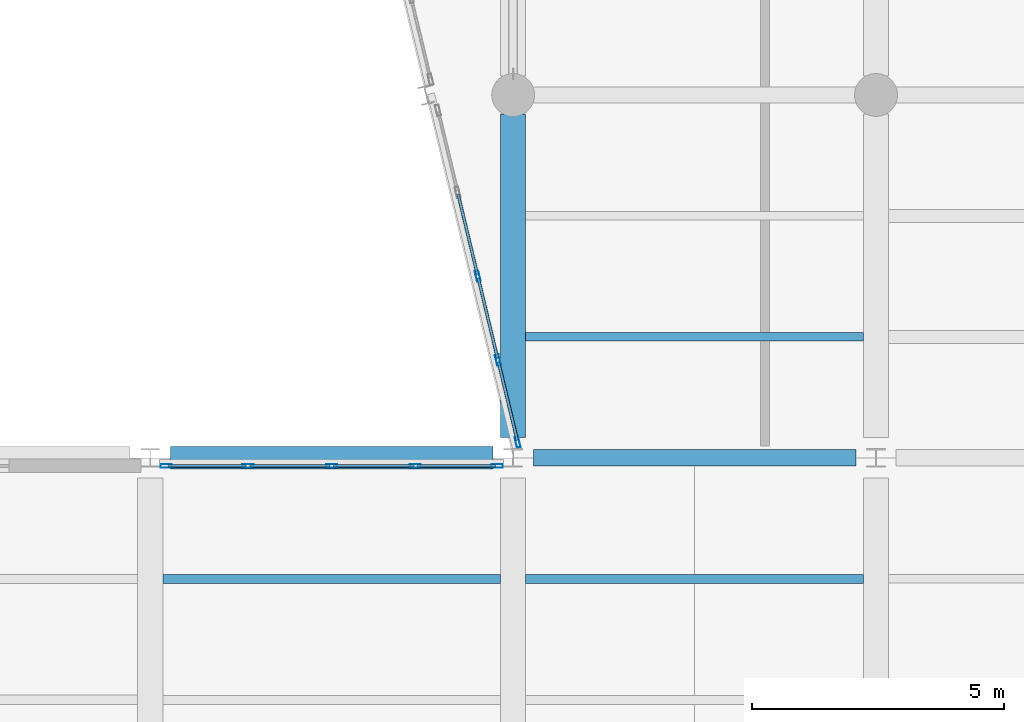
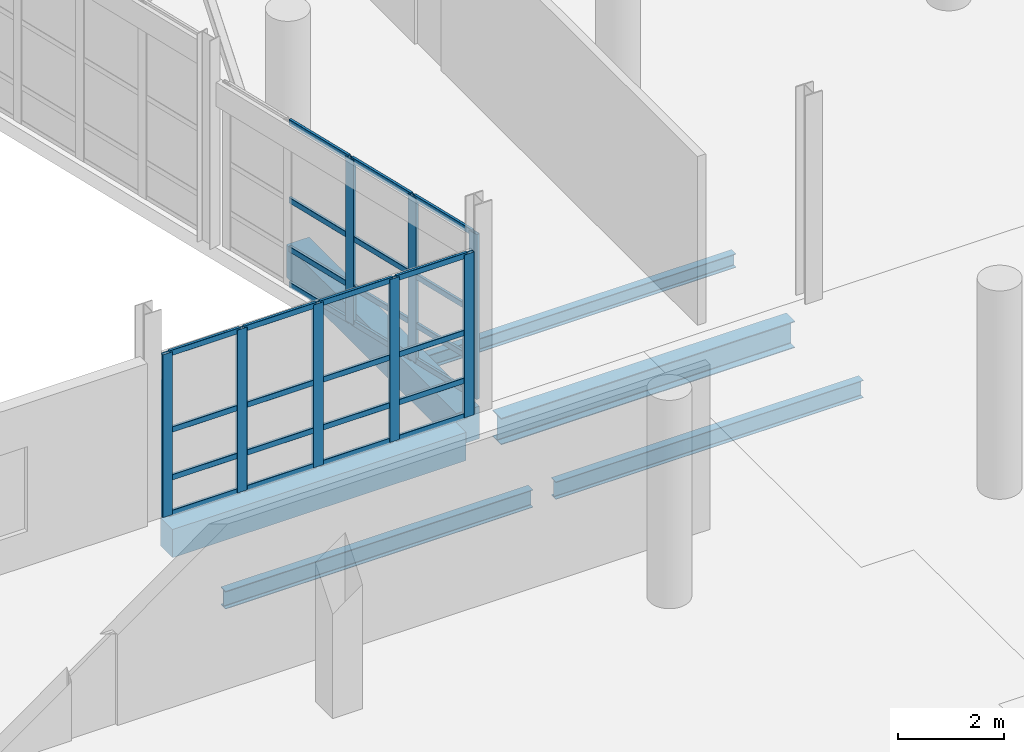
# One storey, part 62 of 127: 36 members, 6 beams, 2 elements without a shape of their own.
"""IFC4 building model written with IfcOpenShell, lengths in metres."""

from ifc_helpers import new_model, si_unit, direction, frame, origin, origin_2d, place, context, subcontext, project, spatial, rectangle, hollow_rectangle, i_section, extrude, material, material_profile, profile_set, type_object, element, aggregate, save


model = new_model("IFC4")

# Units and contexts
model_context = context("Model", 3, precision=1e-05, world=origin(), true_north=direction((0.0, 1.0)))
body_context = subcontext(model_context, "Body", "Model", "MODEL_VIEW")
ifc_project = project(units=[si_unit("LENGTHUNIT", "METRE"), si_unit("AREAUNIT", "SQUARE_METRE"), si_unit("VOLUMEUNIT", "CUBIC_METRE"), si_unit("PLANEANGLEUNIT", "RADIAN"), si_unit("MASSUNIT", "GRAM", prefix="KILO")], contexts=[model_context])

# Site, building, storey
site_placement = place(None, origin())
site = spatial("IfcSite", under=ifc_project, at=site_placement, CompositionType="ELEMENT")
building_placement = place(site_placement, origin())
building = spatial("IfcBuilding", under=site, at=building_placement, Name="Kalmorath City Hall", CompositionType="ELEMENT")
storey_placement = place(building_placement, frame((0.0, 0.0, 5.39990234375)))
storey = spatial("IfcBuildingStorey", under=building, at=storey_placement, Name="L01", CompositionType="ELEMENT", Elevation=5.39990234375)

# Beams
ifc_material_1 = material(Name="Concrete C40/50", Category="concrete")
ifc_material_profile_1 = material_profile(ifc_material_1, rectangle(XDim=0.5, YDim=0.75, at=origin_2d()), Name="RC-BM-500X750")
ifc_profile_set_1 = profile_set([ifc_material_profile_1], Name="Concrete C40/50")
beam_type_1 = type_object("IfcBeamType", Name="Concrete floor beam 500x750", PredefinedType="BEAM", material=ifc_profile_set_1)
beam_1_placement = place(storey_placement, frame((136.800048828125, 43.60009765625, -0.698974609375), z_axis=(0.0, 1.0, 0.0), x_axis=(-1.0, 0.0, 0.0)))
element("IfcBeam", 1, at=beam_1_placement, inside=storey, type_object=beam_type_1, Name="L01 girder CB3 Y20/7-8", PredefinedType="BEAM", context=body_context, shape_type="SweptSolid", body=[
    extrude(rectangle(XDim=0.5, YDim=0.75, at=origin_2d()), origin(), (0.0, 0.0, 1.0), 6.4248046875),
])
ifc_material_2 = material(Name="Concrete C40/50", Category="concrete")
ifc_material_profile_2 = material_profile(ifc_material_2, rectangle(XDim=0.449951171875, YDim=0.64990234375, at=origin_2d()), Name="RC-BM-450X650")
ifc_profile_set_2 = profile_set([ifc_material_profile_2], Name="Concrete C40/50")
beam_type_2 = type_object("IfcBeamType", Name="Concrete spandrel beam 450x650", PredefinedType="SPANDREL", material=ifc_profile_set_2)
beam_2_placement = place(storey_placement, frame((130.0, 43.199951171875, -0.64892578125), z_axis=(1.0, 0.0, 0.0), x_axis=(0.0, 1.0, 0.0)))
element("IfcBeam", 2, at=beam_2_placement, inside=storey, type_object=beam_type_2, Name="L01 girder CB5 X19-20/7", PredefinedType="SPANDREL", context=body_context, shape_type="SweptSolid", body=[
    extrude(rectangle(XDim=0.449951171875, YDim=0.64990234375, at=origin_2d()), origin(), (0.0, 0.0, 1.0), 6.39990234375),
])

# Curtain wall, members
ifc_material_3 = material(Name="Anodised aluminium and laminated glass", Category="aluminium")
curtain_wall_type_1 = type_object("IfcCurtainWallType", Name="Unitised hurricane curtain wall 6646x3751 M1650", PredefinedType="NOTDEFINED", material=ifc_material_3)
curtain_wall_1_placement = place(storey_placement, origin())
curtain_wall_1 = element("IfcCurtainWall", 3, at=curtain_wall_1_placement, inside=storey, type_object=curtain_wall_type_1, Name="L01 curtain wall CW-66X38M16 #93", PredefinedType="NOTDEFINED")
ifc_material_4 = material(Name="Anodised aluminium framing", Category="aluminium")
ifc_material_profile_3 = material_profile(ifc_material_4, hollow_rectangle(XDim=0.06005859375, YDim=0.1298828125, WallThickness=0.00341796875, InnerFilletRadius=0.00341796875, OuterFilletRadius=0.007080078125, at=origin_2d()), Name="ALU-TRN-130X60X3.5")
ifc_profile_set_3 = profile_set([ifc_material_profile_3], Name="Anodised aluminium framing")
member_type_1 = type_object("IfcMemberType", Name="Curtain-wall courtyard transom 130x60", PredefinedType="USERDEFINED", material=ifc_profile_set_3)
member_1_placement = place(storey_placement, frame((129.951904296875, 43.0400390625, 0.030029296875), z_axis=(1.0, 0.0, 0.0), x_axis=(0.0, 1.0, 0.0)))
member_1 = element("IfcMember", 4, at=member_1_placement, type_object=member_type_1, Name="CW-66X38M16 transom 1.1", ObjectType="TRANSOM", PredefinedType="USERDEFINED", context=body_context, shape_type="SweptSolid", body=[
    extrude(hollow_rectangle(XDim=0.06005859375, YDim=0.1298828125, WallThickness=0.00341796875, InnerFilletRadius=0.00341796875, OuterFilletRadius=0.007080078125, at=origin_2d()), origin(), (0.0, 0.0, 1.0), 1.549072265625),
])
member_2_placement = place(storey_placement, frame((129.951904296875, 43.0400390625, 0.85009765625), z_axis=(1.0, 0.0, 0.0), x_axis=(0.0, 1.0, 0.0)))
member_2 = element("IfcMember", 5, at=member_2_placement, type_object=member_type_1, Name="CW-66X38M16 transom 1.2", ObjectType="TRANSOM", PredefinedType="USERDEFINED", context=body_context, shape_type="SweptSolid", body=[
    extrude(hollow_rectangle(XDim=0.06005859375, YDim=0.1298828125, WallThickness=0.00341796875, InnerFilletRadius=0.00341796875, OuterFilletRadius=0.007080078125, at=origin_2d()), origin(), (0.0, 0.0, 1.0), 1.549072265625),
])
member_3_placement = place(storey_placement, frame((129.951904296875, 43.0400390625, 1.951171875), z_axis=(1.0, 0.0, 0.0), x_axis=(0.0, 1.0, 0.0)))
member_3 = element("IfcMember", 6, at=member_3_placement, type_object=member_type_1, Name="CW-66X38M16 transom 1.3", ObjectType="TRANSOM", PredefinedType="USERDEFINED", context=body_context, shape_type="SweptSolid", body=[
    extrude(hollow_rectangle(XDim=0.06005859375, YDim=0.1298828125, WallThickness=0.00341796875, InnerFilletRadius=0.00341796875, OuterFilletRadius=0.007080078125, at=origin_2d()), origin(), (0.0, 0.0, 1.0), 1.549072265625),
])
member_4_placement = place(storey_placement, frame((129.951904296875, 43.0400390625, 3.72119140625), z_axis=(1.0, 0.0, 0.0), x_axis=(0.0, 1.0, 0.0)))
member_4 = element("IfcMember", 7, at=member_4_placement, type_object=member_type_1, Name="CW-66X38M16 transom 1.4", ObjectType="TRANSOM", PredefinedType="USERDEFINED", context=body_context, shape_type="SweptSolid", body=[
    extrude(hollow_rectangle(XDim=0.06005859375, YDim=0.1298828125, WallThickness=0.00341796875, InnerFilletRadius=0.00341796875, OuterFilletRadius=0.007080078125, at=origin_2d()), origin(), (0.0, 0.0, 1.0), 1.549072265625),
])
member_5_placement = place(storey_placement, frame((131.575927734375, 43.0400390625, 0.030029296875), z_axis=(1.0, 0.0, 0.0), x_axis=(0.0, 1.0, 0.0)))
member_5 = element("IfcMember", 8, at=member_5_placement, type_object=member_type_1, Name="CW-66X38M16 transom 2.1", ObjectType="TRANSOM", PredefinedType="USERDEFINED", context=body_context, shape_type="SweptSolid", body=[
    extrude(hollow_rectangle(XDim=0.06005859375, YDim=0.1298828125, WallThickness=0.00341796875, InnerFilletRadius=0.00341796875, OuterFilletRadius=0.007080078125, at=origin_2d()), origin(), (0.0, 0.0, 1.0), 1.586669921875),
])
member_6_placement = place(storey_placement, frame((131.575927734375, 43.0400390625, 0.85009765625), z_axis=(1.0, 0.0, 0.0), x_axis=(0.0, 1.0, 0.0)))
member_6 = element("IfcMember", 9, at=member_6_placement, type_object=member_type_1, Name="CW-66X38M16 transom 2.2", ObjectType="TRANSOM", PredefinedType="USERDEFINED", context=body_context, shape_type="SweptSolid", body=[
    extrude(hollow_rectangle(XDim=0.06005859375, YDim=0.1298828125, WallThickness=0.00341796875, InnerFilletRadius=0.00341796875, OuterFilletRadius=0.007080078125, at=origin_2d()), origin(), (0.0, 0.0, 1.0), 1.586669921875),
])
member_7_placement = place(storey_placement, frame((131.575927734375, 43.0400390625, 1.951171875), z_axis=(1.0, 0.0, 0.0), x_axis=(0.0, 1.0, 0.0)))
member_7 = element("IfcMember", 10, at=member_7_placement, type_object=member_type_1, Name="CW-66X38M16 transom 2.3", ObjectType="TRANSOM", PredefinedType="USERDEFINED", context=body_context, shape_type="SweptSolid", body=[
    extrude(hollow_rectangle(XDim=0.06005859375, YDim=0.1298828125, WallThickness=0.00341796875, InnerFilletRadius=0.00341796875, OuterFilletRadius=0.007080078125, at=origin_2d()), origin(), (0.0, 0.0, 1.0), 1.586669921875),
])
member_8_placement = place(storey_placement, frame((131.575927734375, 43.0400390625, 3.72119140625), z_axis=(1.0, 0.0, 0.0), x_axis=(0.0, 1.0, 0.0)))
member_8 = element("IfcMember", 11, at=member_8_placement, type_object=member_type_1, Name="CW-66X38M16 transom 2.4", ObjectType="TRANSOM", PredefinedType="USERDEFINED", context=body_context, shape_type="SweptSolid", body=[
    extrude(hollow_rectangle(XDim=0.06005859375, YDim=0.1298828125, WallThickness=0.00341796875, InnerFilletRadius=0.00341796875, OuterFilletRadius=0.007080078125, at=origin_2d()), origin(), (0.0, 0.0, 1.0), 1.586669921875),
])
member_9_placement = place(storey_placement, frame((133.237548828125, 43.0400390625, 0.030029296875), z_axis=(1.0, 0.0, 0.0), x_axis=(0.0, 1.0, 0.0)))
member_9 = element("IfcMember", 12, at=member_9_placement, type_object=member_type_1, Name="CW-66X38M16 transom 3.1", ObjectType="TRANSOM", PredefinedType="USERDEFINED", context=body_context, shape_type="SweptSolid", body=[
    extrude(hollow_rectangle(XDim=0.06005859375, YDim=0.1298828125, WallThickness=0.00341796875, InnerFilletRadius=0.00341796875, OuterFilletRadius=0.007080078125, at=origin_2d()), origin(), (0.0, 0.0, 1.0), 1.58642578125),
])
member_10_placement = place(storey_placement, frame((133.237548828125, 43.0400390625, 0.85009765625), z_axis=(1.0, 0.0, 0.0), x_axis=(0.0, 1.0, 0.0)))
member_10 = element("IfcMember", 13, at=member_10_placement, type_object=member_type_1, Name="CW-66X38M16 transom 3.2", ObjectType="TRANSOM", PredefinedType="USERDEFINED", context=body_context, shape_type="SweptSolid", body=[
    extrude(hollow_rectangle(XDim=0.06005859375, YDim=0.1298828125, WallThickness=0.00341796875, InnerFilletRadius=0.00341796875, OuterFilletRadius=0.007080078125, at=origin_2d()), origin(), (0.0, 0.0, 1.0), 1.58642578125),
])
member_11_placement = place(storey_placement, frame((133.237548828125, 43.0400390625, 1.951171875), z_axis=(1.0, 0.0, 0.0), x_axis=(0.0, 1.0, 0.0)))
member_11 = element("IfcMember", 14, at=member_11_placement, type_object=member_type_1, Name="CW-66X38M16 transom 3.3", ObjectType="TRANSOM", PredefinedType="USERDEFINED", context=body_context, shape_type="SweptSolid", body=[
    extrude(hollow_rectangle(XDim=0.06005859375, YDim=0.1298828125, WallThickness=0.00341796875, InnerFilletRadius=0.00341796875, OuterFilletRadius=0.007080078125, at=origin_2d()), origin(), (0.0, 0.0, 1.0), 1.58642578125),
])
member_12_placement = place(storey_placement, frame((133.237548828125, 43.0400390625, 3.72119140625), z_axis=(1.0, 0.0, 0.0), x_axis=(0.0, 1.0, 0.0)))
member_12 = element("IfcMember", 15, at=member_12_placement, type_object=member_type_1, Name="CW-66X38M16 transom 3.4", ObjectType="TRANSOM", PredefinedType="USERDEFINED", context=body_context, shape_type="SweptSolid", body=[
    extrude(hollow_rectangle(XDim=0.06005859375, YDim=0.1298828125, WallThickness=0.00341796875, InnerFilletRadius=0.00341796875, OuterFilletRadius=0.007080078125, at=origin_2d()), origin(), (0.0, 0.0, 1.0), 1.58642578125),
])
member_13_placement = place(storey_placement, frame((134.89892578125, 43.0400390625, 0.030029296875), z_axis=(1.0, 0.0, 0.0), x_axis=(0.0, 1.0, 0.0)))
member_13 = element("IfcMember", 16, at=member_13_placement, type_object=member_type_1, Name="CW-66X38M16 transom 4.1", ObjectType="TRANSOM", PredefinedType="USERDEFINED", context=body_context, shape_type="SweptSolid", body=[
    extrude(hollow_rectangle(XDim=0.06005859375, YDim=0.1298828125, WallThickness=0.00341796875, InnerFilletRadius=0.00341796875, OuterFilletRadius=0.007080078125, at=origin_2d()), origin(), (0.0, 0.0, 1.0), 1.549072265625),
])
member_14_placement = place(storey_placement, frame((134.89892578125, 43.0400390625, 0.85009765625), z_axis=(1.0, 0.0, 0.0), x_axis=(0.0, 1.0, 0.0)))
member_14 = element("IfcMember", 17, at=member_14_placement, type_object=member_type_1, Name="CW-66X38M16 transom 4.2", ObjectType="TRANSOM", PredefinedType="USERDEFINED", context=body_context, shape_type="SweptSolid", body=[
    extrude(hollow_rectangle(XDim=0.06005859375, YDim=0.1298828125, WallThickness=0.00341796875, InnerFilletRadius=0.00341796875, OuterFilletRadius=0.007080078125, at=origin_2d()), origin(), (0.0, 0.0, 1.0), 1.549072265625),
])
member_15_placement = place(storey_placement, frame((134.89892578125, 43.0400390625, 1.951171875), z_axis=(1.0, 0.0, 0.0), x_axis=(0.0, 1.0, 0.0)))
member_15 = element("IfcMember", 18, at=member_15_placement, type_object=member_type_1, Name="CW-66X38M16 transom 4.3", ObjectType="TRANSOM", PredefinedType="USERDEFINED", context=body_context, shape_type="SweptSolid", body=[
    extrude(hollow_rectangle(XDim=0.06005859375, YDim=0.1298828125, WallThickness=0.00341796875, InnerFilletRadius=0.00341796875, OuterFilletRadius=0.007080078125, at=origin_2d()), origin(), (0.0, 0.0, 1.0), 1.549072265625),
])
member_16_placement = place(storey_placement, frame((134.89892578125, 43.0400390625, 3.72119140625), z_axis=(1.0, 0.0, 0.0), x_axis=(0.0, 1.0, 0.0)))
member_16 = element("IfcMember", 19, at=member_16_placement, type_object=member_type_1, Name="CW-66X38M16 transom 4.4", ObjectType="TRANSOM", PredefinedType="USERDEFINED", context=body_context, shape_type="SweptSolid", body=[
    extrude(hollow_rectangle(XDim=0.06005859375, YDim=0.1298828125, WallThickness=0.00341796875, InnerFilletRadius=0.00341796875, OuterFilletRadius=0.007080078125, at=origin_2d()), origin(), (0.0, 0.0, 1.0), 1.549072265625),
])

ifc_material_5 = material(Name="Anodised aluminium and laminated glass", Category="aluminium")
curtain_wall_type_2 = type_object("IfcCurtainWallType", Name="Unitised hurricane curtain wall 6842x3801 M1650", PredefinedType="NOTDEFINED", material=ifc_material_5)
curtain_wall_2_placement = place(storey_placement, origin())
curtain_wall_2 = element("IfcCurtainWall", 20, at=curtain_wall_2_placement, inside=storey, type_object=curtain_wall_type_2, Name="L01 curtain wall CW-68X38M16 #94", PredefinedType="NOTDEFINED")
member_17_placement = place(storey_placement, frame((136.88037109375, 43.550048828125, 0.030029296875), z_axis=(-0.233465412237, 0.972365106989, 0.0), x_axis=(-0.972365106989, -0.233465412237, 0.0)))
member_17 = element("IfcMember", 21, at=member_17_placement, type_object=member_type_1, Name="CW-68X38M16 transom 1.1", ObjectType="TRANSOM", PredefinedType="USERDEFINED", context=body_context, shape_type="SweptSolid", body=[
    extrude(hollow_rectangle(XDim=0.06005859375, YDim=0.1298828125, WallThickness=0.00341796875, InnerFilletRadius=0.00341796875, OuterFilletRadius=0.007080078125, at=origin_2d()), origin(), (0.0, 0.0, 1.0), 1.597900390625),
])
member_18_placement = place(storey_placement, frame((136.88037109375, 43.550048828125, 0.85009765625), z_axis=(-0.233465412237, 0.972365106989, 0.0), x_axis=(-0.972365106989, -0.233465412237, 0.0)))
member_18 = element("IfcMember", 22, at=member_18_placement, type_object=member_type_1, Name="CW-68X38M16 transom 1.2", ObjectType="TRANSOM", PredefinedType="USERDEFINED", context=body_context, shape_type="SweptSolid", body=[
    extrude(hollow_rectangle(XDim=0.06005859375, YDim=0.1298828125, WallThickness=0.00341796875, InnerFilletRadius=0.00341796875, OuterFilletRadius=0.007080078125, at=origin_2d()), origin(), (0.0, 0.0, 1.0), 1.597900390625),
])
member_19_placement = place(storey_placement, frame((136.88037109375, 43.550048828125, 1.97705078125), z_axis=(-0.233465412237, 0.972365106989, 0.0), x_axis=(-0.972365106989, -0.233465412237, 0.0)))
member_19 = element("IfcMember", 23, at=member_19_placement, type_object=member_type_1, Name="CW-68X38M16 transom 1.3", ObjectType="TRANSOM", PredefinedType="USERDEFINED", context=body_context, shape_type="SweptSolid", body=[
    extrude(hollow_rectangle(XDim=0.06005859375, YDim=0.1298828125, WallThickness=0.00341796875, InnerFilletRadius=0.00341796875, OuterFilletRadius=0.007080078125, at=origin_2d()), origin(), (0.0, 0.0, 1.0), 1.597900390625),
])
member_20_placement = place(storey_placement, frame((136.88037109375, 43.550048828125, 3.77099609375), z_axis=(-0.233465412237, 0.972365106989, 0.0), x_axis=(-0.972365106989, -0.233465412237, 0.0)))
member_20 = element("IfcMember", 24, at=member_20_placement, type_object=member_type_1, Name="CW-68X38M16 transom 1.4", ObjectType="TRANSOM", PredefinedType="USERDEFINED", context=body_context, shape_type="SweptSolid", body=[
    extrude(hollow_rectangle(XDim=0.06005859375, YDim=0.1298828125, WallThickness=0.00341796875, InnerFilletRadius=0.00341796875, OuterFilletRadius=0.007080078125, at=origin_2d()), origin(), (0.0, 0.0, 1.0), 1.597900390625),
])
member_21_placement = place(storey_placement, frame((136.489990234375, 45.1767578125, 0.030029296875), z_axis=(-0.233463283208, 0.972365618167, 0.0), x_axis=(-0.972365618167, -0.233463283208, 0.0)))
member_21 = element("IfcMember", 25, at=member_21_placement, type_object=member_type_1, Name="CW-68X38M16 transom 2.1", ObjectType="TRANSOM", PredefinedType="USERDEFINED", context=body_context, shape_type="SweptSolid", body=[
    extrude(hollow_rectangle(XDim=0.06005859375, YDim=0.1298828125, WallThickness=0.00341796875, InnerFilletRadius=0.00341796875, OuterFilletRadius=0.007080078125, at=origin_2d()), origin(), (0.0, 0.0, 1.0), 1.635498046875),
])
member_22_placement = place(storey_placement, frame((136.489990234375, 45.1767578125, 0.85009765625), z_axis=(-0.233463283208, 0.972365618167, 0.0), x_axis=(-0.972365618167, -0.233463283208, 0.0)))
member_22 = element("IfcMember", 26, at=member_22_placement, type_object=member_type_1, Name="CW-68X38M16 transom 2.2", ObjectType="TRANSOM", PredefinedType="USERDEFINED", context=body_context, shape_type="SweptSolid", body=[
    extrude(hollow_rectangle(XDim=0.06005859375, YDim=0.1298828125, WallThickness=0.00341796875, InnerFilletRadius=0.00341796875, OuterFilletRadius=0.007080078125, at=origin_2d()), origin(), (0.0, 0.0, 1.0), 1.635498046875),
])
member_23_placement = place(storey_placement, frame((136.489990234375, 45.1767578125, 1.97705078125), z_axis=(-0.233463283208, 0.972365618167, 0.0), x_axis=(-0.972365618167, -0.233463283208, 0.0)))
member_23 = element("IfcMember", 27, at=member_23_placement, type_object=member_type_1, Name="CW-68X38M16 transom 2.3", ObjectType="TRANSOM", PredefinedType="USERDEFINED", context=body_context, shape_type="SweptSolid", body=[
    extrude(hollow_rectangle(XDim=0.06005859375, YDim=0.1298828125, WallThickness=0.00341796875, InnerFilletRadius=0.00341796875, OuterFilletRadius=0.007080078125, at=origin_2d()), origin(), (0.0, 0.0, 1.0), 1.635498046875),
])
member_24_placement = place(storey_placement, frame((136.489990234375, 45.1767578125, 3.77099609375), z_axis=(-0.233463283208, 0.972365618167, 0.0), x_axis=(-0.972365618167, -0.233463283208, 0.0)))
member_24 = element("IfcMember", 28, at=member_24_placement, type_object=member_type_1, Name="CW-68X38M16 transom 2.4", ObjectType="TRANSOM", PredefinedType="USERDEFINED", context=body_context, shape_type="SweptSolid", body=[
    extrude(hollow_rectangle(XDim=0.06005859375, YDim=0.1298828125, WallThickness=0.00341796875, InnerFilletRadius=0.00341796875, OuterFilletRadius=0.007080078125, at=origin_2d()), origin(), (0.0, 0.0, 1.0), 1.635498046875),
])
member_25_placement = place(storey_placement, frame((136.090576171875, 46.83984375, 0.030029296875), z_axis=(-0.233463283208, 0.972365618167, 0.0), x_axis=(-0.972365618167, -0.233463283208, 0.0)))
member_25 = element("IfcMember", 29, at=member_25_placement, type_object=member_type_1, Name="CW-68X38M16 transom 3.1", ObjectType="TRANSOM", PredefinedType="USERDEFINED", context=body_context, shape_type="SweptSolid", body=[
    extrude(hollow_rectangle(XDim=0.06005859375, YDim=0.1298828125, WallThickness=0.00341796875, InnerFilletRadius=0.00341796875, OuterFilletRadius=0.007080078125, at=origin_2d()), origin(), (0.0, 0.0, 1.0), 1.635498046875),
])
member_26_placement = place(storey_placement, frame((136.090576171875, 46.83984375, 0.85009765625), z_axis=(-0.233463283208, 0.972365618167, 0.0), x_axis=(-0.972365618167, -0.233463283208, 0.0)))
member_26 = element("IfcMember", 30, at=member_26_placement, type_object=member_type_1, Name="CW-68X38M16 transom 3.2", ObjectType="TRANSOM", PredefinedType="USERDEFINED", context=body_context, shape_type="SweptSolid", body=[
    extrude(hollow_rectangle(XDim=0.06005859375, YDim=0.1298828125, WallThickness=0.00341796875, InnerFilletRadius=0.00341796875, OuterFilletRadius=0.007080078125, at=origin_2d()), origin(), (0.0, 0.0, 1.0), 1.635498046875),
])
member_27_placement = place(storey_placement, frame((136.090576171875, 46.83984375, 1.97705078125), z_axis=(-0.233463283208, 0.972365618167, 0.0), x_axis=(-0.972365618167, -0.233463283208, 0.0)))
member_27 = element("IfcMember", 31, at=member_27_placement, type_object=member_type_1, Name="CW-68X38M16 transom 3.3", ObjectType="TRANSOM", PredefinedType="USERDEFINED", context=body_context, shape_type="SweptSolid", body=[
    extrude(hollow_rectangle(XDim=0.06005859375, YDim=0.1298828125, WallThickness=0.00341796875, InnerFilletRadius=0.00341796875, OuterFilletRadius=0.007080078125, at=origin_2d()), origin(), (0.0, 0.0, 1.0), 1.635498046875),
])
member_28_placement = place(storey_placement, frame((136.090576171875, 46.83984375, 3.77099609375), z_axis=(-0.233463283208, 0.972365618167, 0.0), x_axis=(-0.972365618167, -0.233463283208, 0.0)))
member_28 = element("IfcMember", 32, at=member_28_placement, type_object=member_type_1, Name="CW-68X38M16 transom 3.4", ObjectType="TRANSOM", PredefinedType="USERDEFINED", context=body_context, shape_type="SweptSolid", body=[
    extrude(hollow_rectangle(XDim=0.06005859375, YDim=0.1298828125, WallThickness=0.00341796875, InnerFilletRadius=0.00341796875, OuterFilletRadius=0.007080078125, at=origin_2d()), origin(), (0.0, 0.0, 1.0), 1.635498046875),
])

# Member
ifc_material_6 = material(Name="Anodised aluminium framing", Category="aluminium")
ifc_material_profile_4 = material_profile(ifc_material_6, hollow_rectangle(XDim=0.074951171875, YDim=0.219970703125, WallThickness=0.00390625, InnerFilletRadius=0.00390625, OuterFilletRadius=0.008056640625, at=origin_2d()), Name="ALU-MUL-220X75X4")
ifc_profile_set_4 = profile_set([ifc_material_profile_4], Name="Anodised aluminium framing")
member_type_2 = type_object("IfcMemberType", Name="Curtain-wall primary mullion 220x75", PredefinedType="MULLION", material=ifc_profile_set_4)
member_29_placement = place(storey_placement, frame((129.91455078125, 43.0400390625, 0.0), z_axis=(0.0, 0.0, 1.0), x_axis=(0.0, 1.0, 0.0)))
member_29 = element("IfcMember", 33, at=member_29_placement, type_object=member_type_2, Name="CW-66X38M16 mullion 1", PredefinedType="MULLION", context=body_context, shape_type="SweptSolid", body=[
    extrude(hollow_rectangle(XDim=0.074951171875, YDim=0.219970703125, WallThickness=0.00390625, InnerFilletRadius=0.00390625, OuterFilletRadius=0.008056640625, at=origin_2d()), origin(), (0.0, 0.0, 1.0), 3.7509765625),
])

member_30_placement = place(storey_placement, frame((131.53857421875, 43.0400390625, 0.0), z_axis=(0.0, 0.0, 1.0), x_axis=(0.0, 1.0, 0.0)))
member_30 = element("IfcMember", 34, at=member_30_placement, type_object=member_type_2, Name="CW-66X38M16 mullion 2", PredefinedType="MULLION", context=body_context, shape_type="SweptSolid", body=[
    extrude(hollow_rectangle(XDim=0.074951171875, YDim=0.219970703125, WallThickness=0.00390625, InnerFilletRadius=0.00390625, OuterFilletRadius=0.008056640625, at=origin_2d()), origin(), (0.0, 0.0, 1.0), 3.7509765625),
])

member_31_placement = place(storey_placement, frame((133.199951171875, 43.0400390625, 0.0), z_axis=(0.0, 0.0, 1.0), x_axis=(0.0, 1.0, 0.0)))
member_31 = element("IfcMember", 35, at=member_31_placement, type_object=member_type_2, Name="CW-66X38M16 mullion 3", PredefinedType="MULLION", context=body_context, shape_type="SweptSolid", body=[
    extrude(hollow_rectangle(XDim=0.074951171875, YDim=0.219970703125, WallThickness=0.00390625, InnerFilletRadius=0.00390625, OuterFilletRadius=0.008056640625, at=origin_2d()), origin(), (0.0, 0.0, 1.0), 3.7509765625),
])

member_32_placement = place(storey_placement, frame((134.861572265625, 43.0400390625, 0.0), z_axis=(0.0, 0.0, 1.0), x_axis=(0.0, 1.0, 0.0)))
member_32 = element("IfcMember", 36, at=member_32_placement, type_object=member_type_2, Name="CW-66X38M16 mullion 4", PredefinedType="MULLION", context=body_context, shape_type="SweptSolid", body=[
    extrude(hollow_rectangle(XDim=0.074951171875, YDim=0.219970703125, WallThickness=0.00390625, InnerFilletRadius=0.00390625, OuterFilletRadius=0.008056640625, at=origin_2d()), origin(), (0.0, 0.0, 1.0), 3.7509765625),
])

member_33_placement = place(storey_placement, frame((136.485595703125, 43.0400390625, 0.0), z_axis=(0.0, 0.0, 1.0), x_axis=(0.0, 1.0, 0.0)))
member_33 = element("IfcMember", 37, at=member_33_placement, type_object=member_type_2, Name="CW-66X38M16 mullion 5", PredefinedType="MULLION", context=body_context, shape_type="SweptSolid", body=[
    extrude(hollow_rectangle(XDim=0.074951171875, YDim=0.219970703125, WallThickness=0.00390625, InnerFilletRadius=0.00390625, OuterFilletRadius=0.008056640625, at=origin_2d()), origin(), (0.0, 0.0, 1.0), 3.7509765625),
])

aggregate(curtain_wall_1, [member_29, member_30, member_31, member_32, member_33, member_1, member_2, member_3, member_4, member_5, member_6, member_7, member_8, member_9, member_10, member_11, member_12, member_13, member_14, member_15, member_16])

member_34_placement = place(storey_placement, frame((136.88916015625, 43.513427734375, 0.0), z_axis=(0.0, 0.0, 1.0), x_axis=(-0.97236806196, -0.23345310467, 0.0)))
member_34 = element("IfcMember", 38, at=member_34_placement, type_object=member_type_2, Name="CW-68X38M16 mullion 1", PredefinedType="MULLION", context=body_context, shape_type="SweptSolid", body=[
    extrude(hollow_rectangle(XDim=0.074951171875, YDim=0.219970703125, WallThickness=0.00390625, InnerFilletRadius=0.00390625, OuterFilletRadius=0.008056640625, at=origin_2d()), origin(), (0.0, 0.0, 1.0), 3.801025390625),
])

member_35_placement = place(storey_placement, frame((136.498779296875, 45.14013671875, 0.0), z_axis=(0.0, 0.0, 1.0), x_axis=(-0.97236806196, -0.23345310467, 0.0)))
member_35 = element("IfcMember", 39, at=member_35_placement, type_object=member_type_2, Name="CW-68X38M16 mullion 2", PredefinedType="MULLION", context=body_context, shape_type="SweptSolid", body=[
    extrude(hollow_rectangle(XDim=0.074951171875, YDim=0.219970703125, WallThickness=0.00390625, InnerFilletRadius=0.00390625, OuterFilletRadius=0.008056640625, at=origin_2d()), origin(), (0.0, 0.0, 1.0), 3.801025390625),
])

member_36_placement = place(storey_placement, frame((136.099365234375, 46.803466796875, 0.0), z_axis=(0.0, 0.0, 1.0), x_axis=(-0.97236806196, -0.23345310467, 0.0)))
member_36 = element("IfcMember", 40, at=member_36_placement, type_object=member_type_2, Name="CW-68X38M16 mullion 3", PredefinedType="MULLION", context=body_context, shape_type="SweptSolid", body=[
    extrude(hollow_rectangle(XDim=0.074951171875, YDim=0.219970703125, WallThickness=0.00390625, InnerFilletRadius=0.00390625, OuterFilletRadius=0.008056640625, at=origin_2d()), origin(), (0.0, 0.0, 1.0), 3.801025390625),
])

aggregate(curtain_wall_2, [member_34, member_35, member_36, member_17, member_18, member_19, member_20, member_21, member_22, member_23, member_24, member_25, member_26, member_27, member_28])

# Beams
ifc_material_7 = material(Name="Steel ASTM A992 Grade 50", Category="steel")
ifc_material_profile_5 = material_profile(ifc_material_7, i_section(OverallWidth=0.177001953125, OverallDepth=0.403076171875, WebThickness=0.007568359375, FlangeThickness=0.010986328125, FilletRadius=0.012939453125, at=origin_2d()), Name="W16X36")
ifc_profile_set_5 = profile_set([ifc_material_profile_5], Name="Steel ASTM A992 Grade 50")
beam_type_3 = type_object("IfcBeamType", Name="Steel composite joist W16X36", PredefinedType="JOIST", material=ifc_profile_set_5)
beam_3_placement = place(storey_placement, frame((137.050048828125, 40.800048828125, -0.525390625), z_axis=(1.0, 0.0, 0.0), x_axis=(0.0, 1.0, 0.0)))
element("IfcBeam", 41, at=beam_3_placement, inside=storey, type_object=beam_type_3, Name="L01 joist SJ7 20.6.2", PredefinedType="JOIST", context=body_context, shape_type="SweptSolid", body=[
    extrude(i_section(OverallWidth=0.177001953125, OverallDepth=0.403076171875, WebThickness=0.007568359375, FlangeThickness=0.010986328125, FilletRadius=0.012939453125, at=origin_2d()), origin(), (0.0, 0.0, 1.0), 6.699951171875),
])
ifc_material_8 = material(Name="Steel ASTM A992 Grade 50", Category="steel")
ifc_material_profile_6 = material_profile(ifc_material_8, i_section(OverallWidth=0.178955078125, OverallDepth=0.409912109375, WebThickness=0.0087890625, FlangeThickness=0.014404296875, FilletRadius=0.012939453125, at=origin_2d()), Name="W16X45")
ifc_profile_set_6 = profile_set([ifc_material_profile_6], Name="Steel ASTM A992 Grade 50")
beam_type_4 = type_object("IfcBeamType", Name="Steel composite joist W16X45", PredefinedType="JOIST", material=ifc_profile_set_6)
beam_4_placement = place(storey_placement, frame((129.85009765625, 40.800048828125, -0.52880859375), z_axis=(1.0, 0.0, 0.0), x_axis=(0.0, 1.0, 0.0)))
element("IfcBeam", 42, at=beam_4_placement, inside=storey, type_object=beam_type_4, Name="L01 joist SJ6 19.6.2", PredefinedType="JOIST", context=body_context, shape_type="SweptSolid", body=[
    extrude(i_section(OverallWidth=0.178955078125, OverallDepth=0.409912109375, WebThickness=0.0087890625, FlangeThickness=0.014404296875, FilletRadius=0.012939453125, at=origin_2d()), origin(), (0.0, 0.0, 1.0), 6.699951171875),
])
ifc_material_9 = material(Name="Steel ASTM A992 Grade 50", Category="steel")
ifc_material_profile_7 = material_profile(ifc_material_9, i_section(OverallWidth=0.323974609375, OverallDepth=0.611083984375, WebThickness=0.0126953125, FlangeThickness=0.01904296875, FilletRadius=0.01611328125, at=origin_2d()), Name="W24X104")
ifc_profile_set_7 = profile_set([ifc_material_profile_7], Name="Steel ASTM A992 Grade 50")
beam_type_5 = type_object("IfcBeamType", Name="Steel floor girder W24X104", PredefinedType="BEAM", material=ifc_profile_set_7)
beam_5_placement = place(storey_placement, frame((137.199951171875, 43.199951171875, -0.62939453125), z_axis=(1.0, 0.0, 0.0), x_axis=(0.0, 1.0, 0.0)))
element("IfcBeam", 43, at=beam_5_placement, inside=storey, type_object=beam_type_5, Name="L01 girder SG7 X20-21/7", PredefinedType="BEAM", context=body_context, shape_type="SweptSolid", body=[
    extrude(i_section(OverallWidth=0.323974609375, OverallDepth=0.611083984375, WebThickness=0.0126953125, FlangeThickness=0.01904296875, FilletRadius=0.01611328125, at=origin_2d()), origin(), (0.0, 0.0, 1.0), 6.400146484375),
])
ifc_material_10 = material(Name="Steel ASTM A992 Grade 50", Category="steel")
ifc_material_profile_8 = material_profile(ifc_material_10, i_section(OverallWidth=0.1669921875, OverallDepth=0.318115234375, WebThickness=0.007568359375, FlangeThickness=0.01318359375, FilletRadius=0.012939453125, at=origin_2d()), Name="W12X35")
ifc_profile_set_8 = profile_set([ifc_material_profile_8], Name="Steel ASTM A992 Grade 50")
beam_type_6 = type_object("IfcBeamType", Name="Steel header lintel W12X35", PredefinedType="LINTEL", material=ifc_profile_set_8)
beam_6_placement = place(storey_placement, frame((137.050048828125, 45.60009765625, -0.48291015625), z_axis=(1.0, 0.0, 0.0), x_axis=(0.0, 1.0, 0.0)))
element("IfcBeam", 44, at=beam_6_placement, inside=storey, type_object=beam_type_6, Name="L01 joist SJ13 20.7.1", PredefinedType="LINTEL", context=body_context, shape_type="SweptSolid", body=[
    extrude(i_section(OverallWidth=0.1669921875, OverallDepth=0.318115234375, WebThickness=0.007568359375, FlangeThickness=0.01318359375, FilletRadius=0.012939453125, at=origin_2d()), origin(), (0.0, 0.0, 1.0), 6.699951171875),
])

save(model, "model.ifc")
